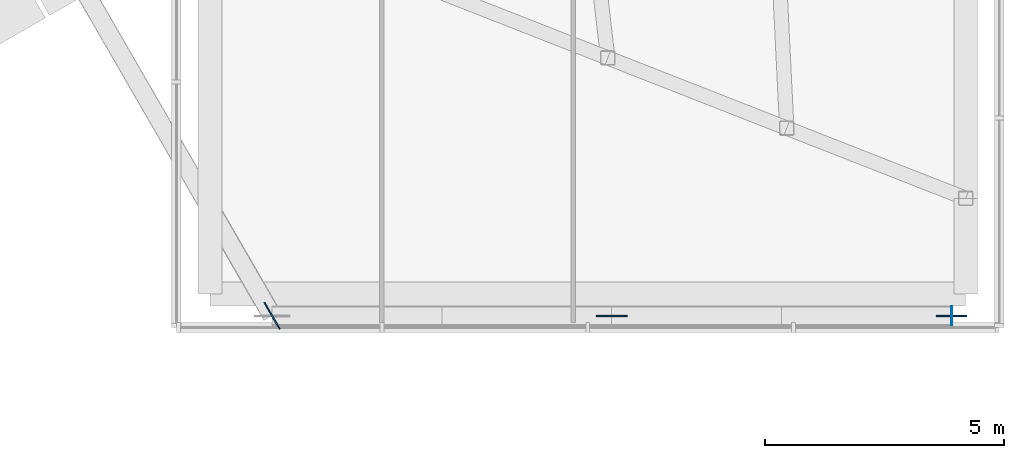
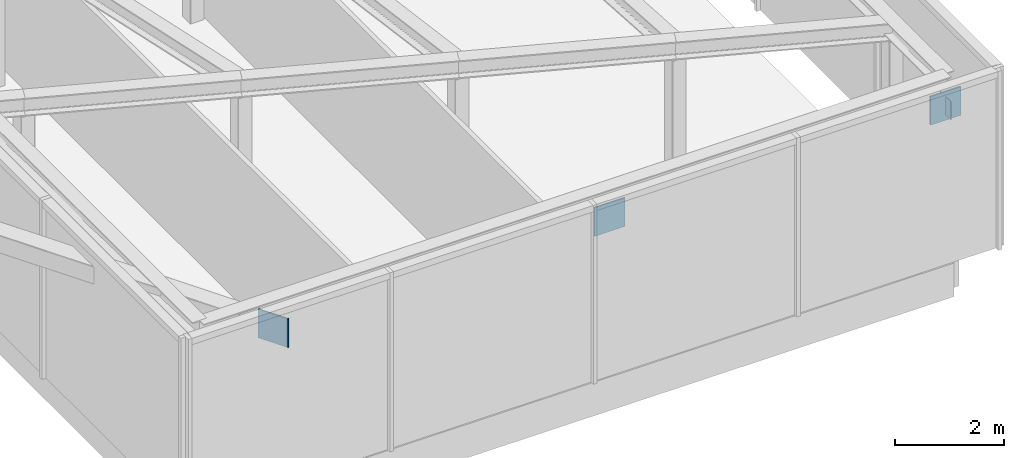
# One storey, part 20 of 24: 4 discrete accessories.
"""IFC4 building model written with IfcOpenShell, lengths in metres."""

import ifcopenshell
import ifcopenshell.guid

model = None  # the IFC model being written
_history = None  # IfcOwnerHistory: only IFC2X3 demands one
_inside = {}  # id of a spatial element -> (the spatial element, [elements in it])
_under = {}  # id of a project, library or spatial element -> (it, [spatial elements below it])
_declared = {}  # id of a project -> (the project, [libraries it declares])
_typed = {}  # id of a type object -> (the type object, [elements of that type])
_made_of = {}  # id of a material, layer set ... -> (it, [elements and type objects made of it])


def new_model(schema):
    """Start an empty IFC model of exactly this schema.

    Asked for "IFC4X3", IfcOpenShell would pick the latest addendum, in which some entities
    have other attributes; the version numbers below select the first issue.
    IFC2X3 requires an IfcOwnerHistory on every rooted entity: one is made here for all.
    """
    global model, _history
    if schema == "IFC4X3":
        model = ifcopenshell.file(schema_version=(4, 3, 0, 0))
    else:
        model = ifcopenshell.file(schema=schema)
    _inside.clear()
    _under.clear()
    _declared.clear()
    _typed.clear()
    _made_of.clear()
    _history = None
    if model.schema == "IFC2X3":
        org = make("IfcOrganization", Name="unknown")
        user = make(
            "IfcPersonAndOrganization",
            ThePerson=make("IfcPerson", FamilyName="unknown"),
            TheOrganization=org,
        )
        app = make(
            "IfcApplication",
            ApplicationDeveloper=org,
            Version="unknown",
            ApplicationFullName="unknown",
            ApplicationIdentifier="unknown",
        )
        _history = make(
            "IfcOwnerHistory",
            OwningUser=user,
            OwningApplication=app,
            ChangeAction="ADDED",
            CreationDate=0,
        )
    return model


def make(cls, **values):
    """One entity of the class cls with the attributes given. An attribute that is None is left unset."""
    return model.create_entity(
        cls, **{name: value for name, value in values.items() if value is not None}
    )


def rooted(cls, **values):
    """An entity with a GlobalId (a new one), such as an element, a storey or a relation."""
    return make(cls, GlobalId=ifcopenshell.guid.new(), OwnerHistory=_history, **values)


def si_unit(unit_type, name, prefix=None):
    """IfcSIUnit, for example si_unit("LENGTHUNIT", "METRE", prefix="MILLI")."""
    return make("IfcSIUnit", UnitType=unit_type, Prefix=prefix, Name=name)


def assignment(units):
    """IfcUnitAssignment: the units of a project."""
    return None if units is None else make("IfcUnitAssignment", Units=units)


def point(xyz):
    """IfcCartesianPoint."""
    return None if xyz is None else make("IfcCartesianPoint", Coordinates=xyz)


def direction(xyz):
    """IfcDirection."""
    return None if xyz is None else make("IfcDirection", DirectionRatios=xyz)


def frame(location, z_axis=None, x_axis=None):
    """IfcAxis2Placement3D, a coordinate frame: its origin and axes. An axis left out is left unset."""
    return make(
        "IfcAxis2Placement3D",
        Location=point(location),
        Axis=direction(z_axis),
        RefDirection=direction(x_axis),
    )


def frame_2d(location, x_axis=None):
    """IfcAxis2Placement2D, a coordinate frame in the plane: its origin and x axis."""
    return make(
        "IfcAxis2Placement2D", Location=point(location), RefDirection=direction(x_axis)
    )


def origin():
    """The frame at (0, 0, 0) with its axes left unset."""
    return frame((0.0, 0.0, 0.0))


def origin_2d():
    """The frame at (0, 0) in the plane with its x axis left unset."""
    return frame_2d((0.0, 0.0))


def place(relative_to, where):
    """IfcLocalPlacement: puts the frame where relative to a parent placement (None: the world)."""
    return make(
        "IfcLocalPlacement", PlacementRelTo=relative_to, RelativePlacement=where
    )


def context(
    kind, dimensions, precision=None, world=None, true_north=None, identifier=None
):
    """IfcGeometricRepresentationContext, for example the 3D "Model" context."""
    return make(
        "IfcGeometricRepresentationContext",
        ContextIdentifier=identifier,
        ContextType=kind,
        CoordinateSpaceDimension=dimensions,
        Precision=precision,
        WorldCoordinateSystem=world,
        TrueNorth=true_north,
    )


def subcontext(parent, identifier, kind, view, scale=None):
    """IfcGeometricRepresentationSubContext, for example "Body" below "Model"."""
    return make(
        "IfcGeometricRepresentationSubContext",
        ContextIdentifier=identifier,
        ContextType=kind,
        ParentContext=parent,
        TargetScale=scale,
        TargetView=view,
    )


def project(units=None, contexts=None):
    """IfcProject with its units and contexts."""
    return rooted(
        "IfcProject",
        Name="project",
        RepresentationContexts=contexts,
        UnitsInContext=assignment(units),
    )


def spatial(cls, under=None, at=None, **own):
    """A site, building, storey or space (cls), placed at a placement, below another one or the project."""
    s = rooted(cls, ObjectPlacement=at, **own)
    if under is not None:
        _under.setdefault(under.id(), (under, []))[1].append(s)
    return s


def profile(cls, at=None, kind="AREA", **sizes):
    """A parametric profile (cls). Its sizes go by their IFC names, for example OverallWidth=200.0."""
    return make(cls, ProfileType=kind, Position=at, **sizes)


def rectangle(**sizes):
    """IfcRectangleProfileDef."""
    return profile("IfcRectangleProfileDef", **sizes)


def extrude(swept, where, along, depth):
    """IfcExtrudedAreaSolid: the profile swept, set in the frame where, extruded along a direction by depth."""
    return make(
        "IfcExtrudedAreaSolid",
        SweptArea=swept,
        Position=where,
        ExtrudedDirection=direction(along),
        Depth=depth,
    )


def shape(context_of_items, identifier, shape_type, items):
    """IfcShapeRepresentation: the items that make up one representation, for example the "Body"."""
    return make(
        "IfcShapeRepresentation",
        ContextOfItems=context_of_items,
        RepresentationIdentifier=identifier,
        RepresentationType=shape_type,
        Items=items,
    )


def material(Name=None, Category=None):
    """IfcMaterial."""
    return make("IfcMaterial", Name=Name, Category=Category)


def layer(
    of_material, thickness, ventilated=None, Name=None, Category=None, Priority=None
):
    """IfcMaterialLayer: one layer of a wall or slab, of a material (None: an air gap)."""
    return make(
        "IfcMaterialLayer",
        Material=of_material,
        LayerThickness=thickness,
        IsVentilated=ventilated,
        Name=Name,
        Category=Category,
        Priority=Priority,
    )


def layer_set(layers, Name=None):
    """IfcMaterialLayerSet."""
    return make("IfcMaterialLayerSet", MaterialLayers=layers, LayerSetName=Name)


def made_of(thing, what):
    """Note that an element or type object is made of a material, layer set ...; save() writes the relation."""
    if what is not None:
        _made_of.setdefault(what.id(), (what, []))[1].append(thing)
    return thing


def type_object(cls, material=None, **own):
    """A type object (cls), such as IfcWallType, which elements share."""
    return made_of(rooted(cls, **own), material)


def element(
    cls,
    number,
    at=None,
    inside=None,
    cuts=None,
    type_object=None,
    material=None,
    context=None,
    identifier="Body",
    shape_type=None,
    held_by="IfcProductDefinitionShape",
    body=None,
    shapes=None,
    **own,
):
    """One element of the class cls, such as IfcWall. Its Tag is "e" and its number.

    at: its placement. inside: the storey or other place that contains it. cuts: it is an
    opening in that element (IfcRelVoidsElement). A single representation is given by context,
    identifier, shape_type and body (its items); several are given by shapes. held_by: the class
    of the entity that holds the representations. save() writes the other relations.
    """
    e = rooted(cls, Tag="e%d" % number, ObjectPlacement=at, **own)
    if body is not None:
        shapes = [shape(context, identifier, shape_type, body)]
    if shapes is not None:
        e.Representation = make(held_by, Representations=shapes)
    if inside is not None:
        _inside.setdefault(inside.id(), (inside, []))[1].append(e)
    if cuts is not None:
        rooted(
            "IfcRelVoidsElement", RelatingBuildingElement=cuts, RelatedOpeningElement=e
        )
    if type_object is not None:
        _typed.setdefault(type_object.id(), (type_object, []))[1].append(e)
    return made_of(e, material)


def aggregate(whole, parts):
    """IfcRelAggregates: a whole, such as a stair, and the parts it consists of."""
    return rooted("IfcRelAggregates", RelatingObject=whole, RelatedObjects=parts)


def save(model, path):
    """Write the relations noted so far, then the file.

    IfcRelAggregates (storeys below a building ...), IfcRelContainedInSpatialStructure (elements
    in a storey), IfcRelDefinesByType, IfcRelAssociatesMaterial and IfcRelDeclares: one each for
    every whole, place, type object, material and project.
    """
    for whole, parts in _under.values():
        aggregate(whole, parts)
    for where, things in _inside.values():
        rooted(
            "IfcRelContainedInSpatialStructure",
            RelatedElements=things,
            RelatingStructure=where,
        )
    for kind, things in _typed.values():
        rooted("IfcRelDefinesByType", RelatedObjects=things, RelatingType=kind)
    for what, things in _made_of.values():
        rooted("IfcRelAssociatesMaterial", RelatedObjects=things, RelatingMaterial=what)
    for by, libraries in _declared.values():
        rooted("IfcRelDeclares", RelatingContext=by, RelatedDefinitions=libraries)
    model.write(path)


model = new_model("IFC4")

# Units and contexts
model_context = context("Model", 3, precision=1e-05, world=origin(), true_north=direction((0.0, 1.0)))
body_context = subcontext(model_context, "Body", "Model", "MODEL_VIEW")
ifc_project = project(units=[si_unit("LENGTHUNIT", "METRE"), si_unit("AREAUNIT", "SQUARE_METRE"), si_unit("VOLUMEUNIT", "CUBIC_METRE"), si_unit("PLANEANGLEUNIT", "RADIAN"), si_unit("MASSUNIT", "GRAM", prefix="KILO")], contexts=[model_context])

# Site, building, storey
site_placement = place(None, origin())
site = spatial("IfcSite", under=ifc_project, at=site_placement, CompositionType="ELEMENT")
building_placement = place(site_placement, origin())
building = spatial("IfcBuilding", under=site, at=building_placement, Name="Ayvan Gate Tower", CompositionType="ELEMENT")
storey_placement = place(building_placement, frame((0.0, 0.0, 128.5)))
storey = spatial("IfcBuildingStorey", under=building, at=storey_placement, Name="L34", CompositionType="ELEMENT", Elevation=128.5)

# Discrete accessories
ifc_material = material(Name="Steel S460ML", Category="steel")
ifc_layer_1 = layer(ifc_material, 0.030029296875)
ifc_layer_set_1 = layer_set([ifc_layer_1], Name="Steel S460ML")
discrete_accessory_type_1 = type_object("IfcDiscreteAccessoryType", Name="Gusset plate 30 mm", PredefinedType="BRACKET", material=ifc_layer_set_1)
for number, where, z_axis, x_axis, name in (
    (1, (20.485595703125, -21.705078125, 3.0302734375), (0.0, 0.0, 1.0), (-0.5, 0.866025403784, 0.0), "Gusset plate SBX2-B-D-1"),
    (2, (27.585693359375, -21.705078125, 3.0302734375), (0.0, 0.0, 1.0), (1.0, 0.0, 0.0), "Gusset plate SBX2-B-D-3"),
    (3, (34.685546875, -21.705078125, 3.0302734375), (0.0, 0.0, 1.0), (1.0, 0.0, 0.0), "Gusset plate SBX2-B-D-5"),
):
    element("IfcDiscreteAccessory", number, at=place(storey_placement, frame(where, z_axis=z_axis, x_axis=x_axis)), inside=storey, type_object=discrete_accessory_type_1, Name=name, PredefinedType="BRACKET", context=body_context, shape_type="SweptSolid", body=[
        extrude(rectangle(XDim=0.639892578125, YDim=0.030029296875, at=origin_2d()), origin(), (0.0, 0.0, 1.0), 0.639892578125),
    ])
ifc_layer_2 = layer(ifc_material, 0.02001953125)
ifc_layer_set_2 = layer_set([ifc_layer_2], Name="Steel S460ML")
discrete_accessory_type_2 = type_object("IfcDiscreteAccessoryType", Name="Sky bar end cap plate", PredefinedType="BRACKET", material=ifc_layer_set_2)
discrete_accessory_placement = place(storey_placement, frame((34.695556640625, -21.705078125, 3.150146484375), z_axis=(0.0, 0.0, 1.0), x_axis=(1.0, 0.0, 0.0)))
element("IfcDiscreteAccessory", 4, at=discrete_accessory_placement, inside=storey, type_object=discrete_accessory_type_2, Name="End cap SBX2-B-TC-5:EC", PredefinedType="BRACKET", context=body_context, shape_type="SweptSolid", body=[
    extrude(rectangle(XDim=0.02001953125, YDim=0.39990234375, at=origin_2d()), origin(), (0.0, 0.0, 1.0), 0.39990234375),
])

save(model, "model.ifc")
